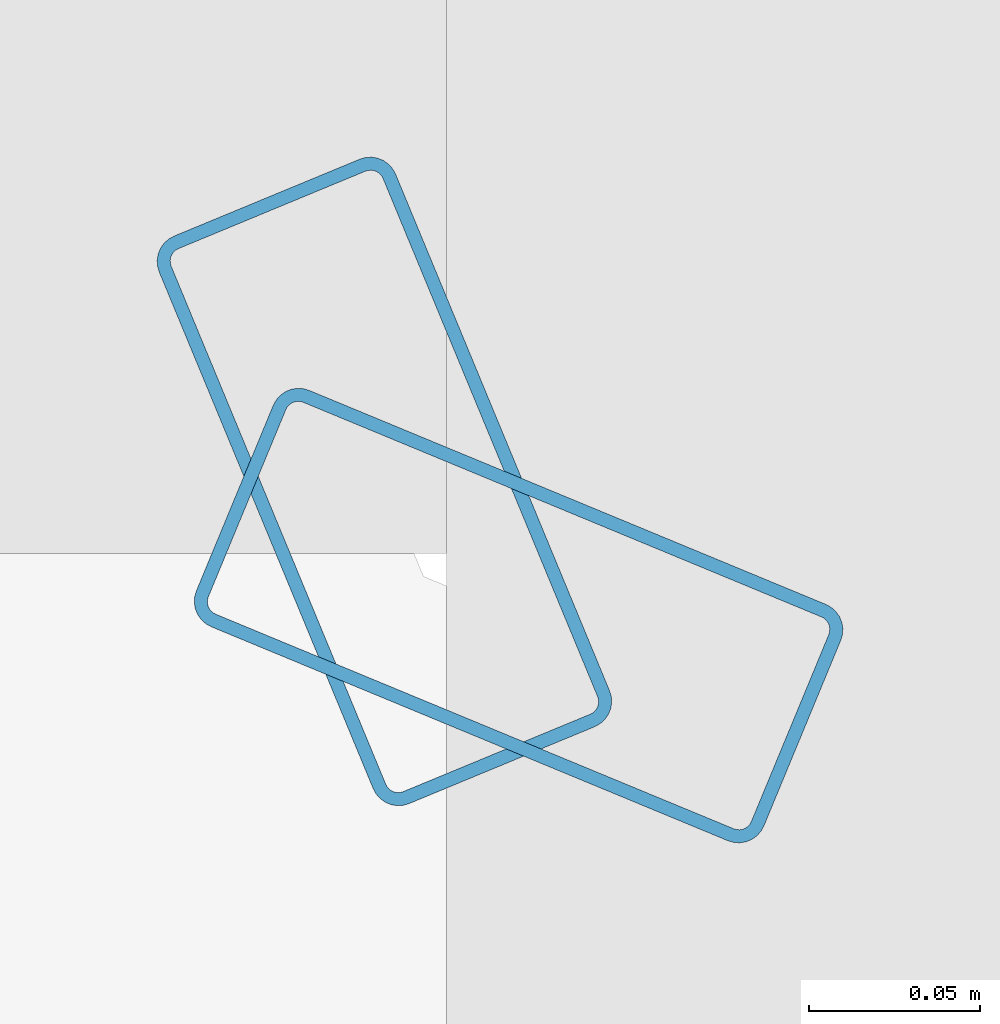
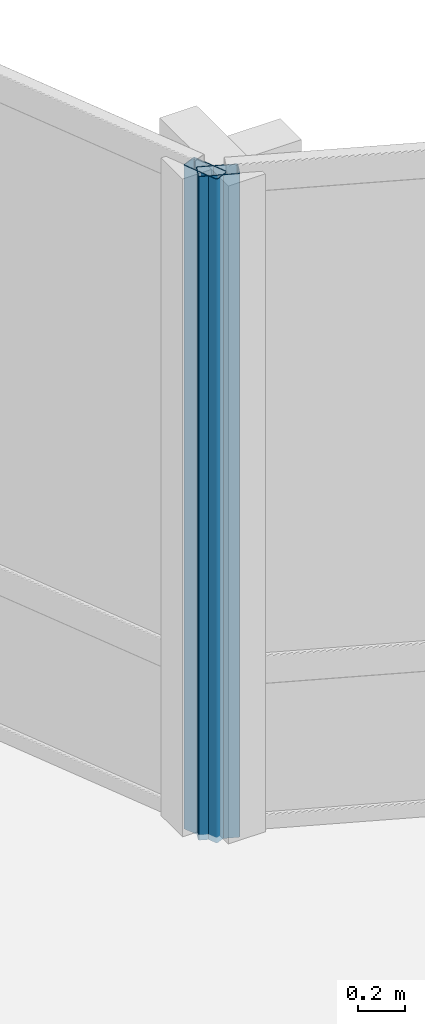
# One storey, part 8 of 27: 2 members, 2 elements without a shape of their own.
"""IFC4 building model written with IfcOpenShell, lengths in metres."""

from ifc_helpers import new_model, si_unit, direction, frame, origin, origin_2d, place, context, subcontext, project, spatial, hollow_rectangle, extrude, material, layer, layer_set, material_profile, profile_set, type_object, element, aggregate, save


model = new_model("IFC4")

# Units and contexts
model_context = context("Model", 3, precision=1e-05, world=origin(), true_north=direction((0.0, 1.0)))
body_context = subcontext(model_context, "Body", "Model", "MODEL_VIEW")
ifc_project = project(units=[si_unit("LENGTHUNIT", "METRE"), si_unit("AREAUNIT", "SQUARE_METRE"), si_unit("VOLUMEUNIT", "CUBIC_METRE"), si_unit("PLANEANGLEUNIT", "RADIAN"), si_unit("MASSUNIT", "GRAM", prefix="KILO")], contexts=[model_context])

# Site, building, storey
site_placement = place(None, origin())
site = spatial("IfcSite", under=ifc_project, at=site_placement, CompositionType="ELEMENT")
building_placement = place(site_placement, origin())
building = spatial("IfcBuilding", under=site, at=building_placement, Name="Solvaryn Broadcast Tower", CompositionType="ELEMENT")
storey_placement = place(building_placement, frame((0.0, 0.0, 221.0)))
storey = spatial("IfcBuildingStorey", under=building, at=storey_placement, Name="L55", CompositionType="ELEMENT", Elevation=221.0)

# Curtain wall, member
ifc_material_1 = material(Name="Aluminium and Terracotta Unitised Curtain Wall", Category="masonry")
ifc_layer = layer(ifc_material_1, 0.199951171875)
ifc_layer_set = layer_set([ifc_layer], Name="CW-SYS2-LOWMID")
curtain_wall_type = type_object("IfcCurtainWallType", Name="CW-SYS2-LOWMID", PredefinedType="NOTDEFINED", material=ifc_layer_set)
curtain_wall_1_placement = place(storey_placement, origin())
curtain_wall_1 = element("IfcCurtainWall", 1, at=curtain_wall_1_placement, inside=storey, type_object=curtain_wall_type, Name="L55 Curtain Wall CN1", PredefinedType="NOTDEFINED")
ifc_material_2 = material(Name="Anodised Aluminium 6063-T6", Category="aluminium")
ifc_material_profile = material_profile(ifc_material_2, hollow_rectangle(XDim=0.074951171875, YDim=0.179931640625, WallThickness=0.00390625, InnerFilletRadius=0.00390625, OuterFilletRadius=0.008056640625, at=origin_2d()))
ifc_profile_set = profile_set([ifc_material_profile], Name="Anodised Aluminium 6063-T6")
member_type = type_object("IfcMemberType", Name="CW-MUL-180", PredefinedType="MULLION", material=ifc_profile_set)
member_1_placement = place(storey_placement, frame((30.395751953125, 30.3564453125, 0.0), z_axis=(0.0, 0.0, 1.0), x_axis=(-0.382646127145, -0.923894983957, 0.0)))
member_1 = element("IfcMember", 2, at=member_1_placement, type_object=member_type, Name="CWS2 mullion 2", PredefinedType="MULLION", context=body_context, shape_type="SweptSolid", body=[
    extrude(hollow_rectangle(XDim=0.074951171875, YDim=0.179931640625, WallThickness=0.00390625, InnerFilletRadius=0.00390625, OuterFilletRadius=0.008056640625, at=origin_2d()), origin(), (0.0, 0.0, 1.0), 3.419921875),
])
aggregate(curtain_wall_1, [member_1])

curtain_wall_2_placement = place(storey_placement, origin())
curtain_wall_2 = element("IfcCurtainWall", 3, at=curtain_wall_2_placement, inside=storey, type_object=curtain_wall_type, Name="L55 Curtain Wall CN2", PredefinedType="NOTDEFINED")
member_2_placement = place(storey_placement, frame((30.3564453125, 30.395751953125, 0.0), z_axis=(0.0, 0.0, 1.0), x_axis=(-0.923894983957, -0.382646127145, 0.0)))
member_2 = element("IfcMember", 4, at=member_2_placement, type_object=member_type, Name="CWS2 mullion 1", PredefinedType="MULLION", context=body_context, shape_type="SweptSolid", body=[
    extrude(hollow_rectangle(XDim=0.074951171875, YDim=0.179931640625, WallThickness=0.00390625, InnerFilletRadius=0.00390625, OuterFilletRadius=0.008056640625, at=origin_2d()), origin(), (0.0, 0.0, 1.0), 3.419921875),
])
aggregate(curtain_wall_2, [member_2])

save(model, "model.ifc")
